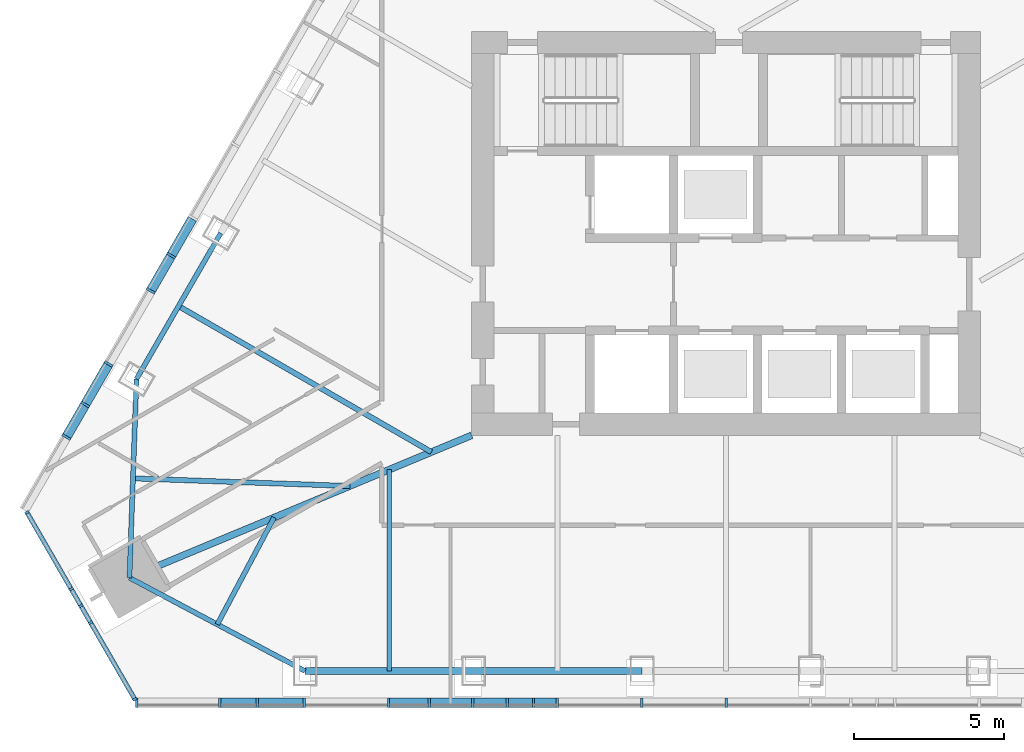
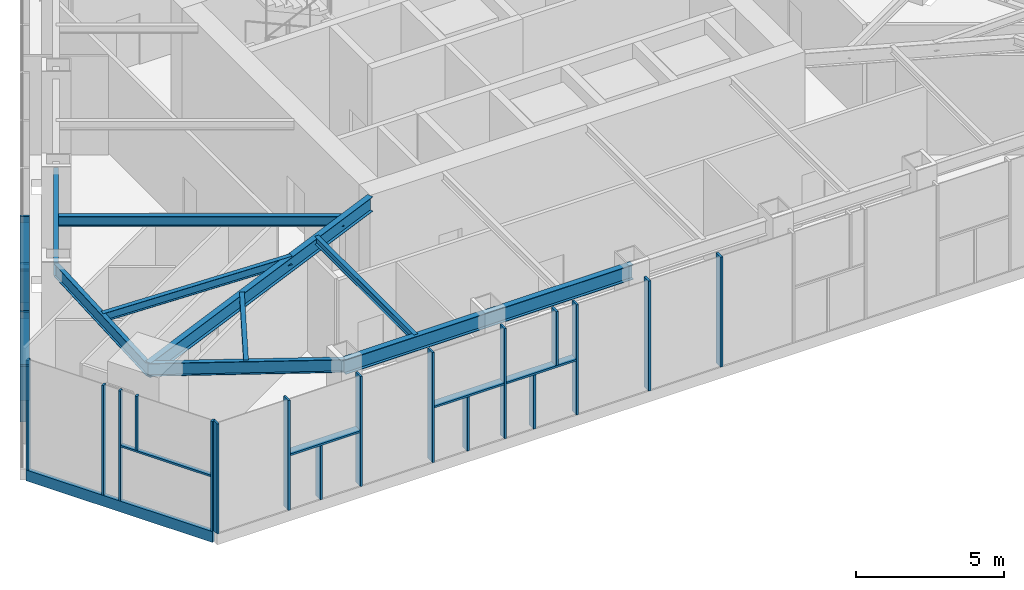
# One storey, part 2 of 17: 29 members, 9 beams, 3 elements without a shape of their own.
"""IFC4 building model written with IfcOpenShell, lengths in metres."""

from ifc_helpers import new_model, si_unit, direction, frame, origin, origin_2d, place, context, subcontext, project, spatial, rectangle, i_section, extrude, material, layer, layer_set, material_profile, profile_set, type_object, element, aggregate, save


model = new_model("IFC4")

# Units and contexts
model_context = context("Model", 3, precision=1e-05, world=origin(), true_north=direction((0.0, 1.0)))
body_context = subcontext(model_context, "Body", "Model", "MODEL_VIEW")
ifc_project = project(units=[si_unit("LENGTHUNIT", "METRE"), si_unit("AREAUNIT", "SQUARE_METRE"), si_unit("VOLUMEUNIT", "CUBIC_METRE"), si_unit("PLANEANGLEUNIT", "RADIAN"), si_unit("MASSUNIT", "GRAM", prefix="KILO")], contexts=[model_context])

# Site, building, storey
site_placement = place(None, origin())
site = spatial("IfcSite", under=ifc_project, at=site_placement, CompositionType="ELEMENT")
building_placement = place(site_placement, origin())
building = spatial("IfcBuilding", under=site, at=building_placement, Name="Firuza Gate Tower and Library", CompositionType="ELEMENT")
storey_placement = place(building_placement, frame((0.0, 0.0, 326.60009765625)))
storey = spatial("IfcBuildingStorey", under=building, at=storey_placement, Name="L80", CompositionType="ELEMENT", Elevation=326.60009765625)

# Curtain wall, members
ifc_material_1 = material(Name="Aluminium 6063-T6", Category="aluminium")
ifc_layer_1 = layer(ifc_material_1, 0.14990234375)
ifc_layer_set_1 = layer_set([ifc_layer_1], Name="Corner curtain wall, chamfers")
curtain_wall_type_1 = type_object("IfcCurtainWallType", Name="Corner curtain wall, chamfers", PredefinedType="NOTDEFINED", material=ifc_layer_set_1)
placement = place(storey_placement, origin())
curtain_wall_1 = element("IfcCurtainWall", 1, at=placement, inside=storey, type_object=curtain_wall_type_1, Name="CW4 L80 SW corner", PredefinedType="NOTDEFINED")
ifc_material_2 = material(Name="Aluminium 6063-T6", Category="aluminium")
ifc_material_profile_1 = material_profile(ifc_material_2, rectangle(XDim=0.14990234375, YDim=0.080078125, at=origin_2d()))
ifc_profile_set_1 = profile_set([ifc_material_profile_1], Name="Aluminium 6063-T6")
member_type_1 = type_object("IfcMemberType", Name="Curtain wall mullion 80x150", PredefinedType="MULLION", material=ifc_profile_set_1)
member_1_placement = place(storey_placement, frame((51.64013671875, 65.673828125, 0.14990234375), z_axis=(0.0, 0.0, 1.0), x_axis=(0.866025403784, 0.5, 0.0)))
member_1 = element("IfcMember", 2, at=member_1_placement, type_object=member_type_1, Name="Mullion", PredefinedType="MULLION", context=body_context, shape_type="SweptSolid", body=[
    extrude(rectangle(XDim=0.14990234375, YDim=0.080078125, at=origin_2d()), origin(), (0.0, 0.0, 1.0), 4.550048828125),
])
member_2_placement = place(storey_placement, frame((53.441650390625, 62.55322265625, 0.14990234375), z_axis=(0.0, 0.0, 1.0), x_axis=(0.866025403784, 0.5, 0.0)))
member_2 = element("IfcMember", 3, at=member_2_placement, type_object=member_type_1, Name="Mullion", PredefinedType="MULLION", context=body_context, shape_type="SweptSolid", body=[
    extrude(rectangle(XDim=0.14990234375, YDim=0.080078125, at=origin_2d()), origin(), (0.0, 0.0, 1.0), 4.550048828125),
])
member_3_placement = place(storey_placement, frame((55.243408203125, 59.432861328125, 0.14990234375), z_axis=(0.0, 0.0, 1.0), x_axis=(0.866025403784, 0.5, 0.0)))
member_3 = element("IfcMember", 4, at=member_3_placement, type_object=member_type_1, Name="Mullion", PredefinedType="MULLION", context=body_context, shape_type="SweptSolid", body=[
    extrude(rectangle(XDim=0.14990234375, YDim=0.080078125, at=origin_2d()), origin(), (0.0, 0.0, 1.0), 4.550048828125),
])
member_4_placement = place(storey_placement, frame((53.11669921875, 63.1162109375, 0.14990234375), z_axis=(0.0, 0.0, 1.0), x_axis=(0.866025403784, 0.5, 0.0)))
member_4 = element("IfcMember", 5, at=member_4_placement, type_object=member_type_1, Name="Mullion", PredefinedType="MULLION", context=body_context, shape_type="SweptSolid", body=[
    extrude(rectangle(XDim=0.14990234375, YDim=0.080078125, at=origin_2d()), origin(), (0.0, 0.0, 1.0), 4.550048828125),
])
member_5_placement = place(storey_placement, frame((53.7666015625, 61.990478515625, 2.46484375), z_axis=(0.0, 0.0, 1.0), x_axis=(0.866025403784, 0.5, 0.0)))
member_5 = element("IfcMember", 6, at=member_5_placement, type_object=member_type_1, Name="Mullion", PredefinedType="MULLION", context=body_context, shape_type="SweptSolid", body=[
    extrude(rectangle(XDim=0.14990234375, YDim=0.080078125, at=origin_2d()), origin(), (0.0, 0.0, 1.0), 2.235107421875),
])

ifc_material_3 = material(Name="Aluminium 6063-T6", Category="aluminium")
ifc_layer_2 = layer(ifc_material_3, 0.14990234375)
ifc_layer_set_2 = layer_set([ifc_layer_2], Name="Unitised curtain wall, residences")
curtain_wall_type_2 = type_object("IfcCurtainWallType", Name="Unitised curtain wall, residences", PredefinedType="NOTDEFINED", material=ifc_layer_set_2)
curtain_wall_2 = element("IfcCurtainWall", 7, at=placement, inside=storey, type_object=curtain_wall_type_2, Name="CW3 L80 S face", PredefinedType="NOTDEFINED")
ifc_material_4 = material(Name="Aluminium 6063-T6", Category="aluminium")
ifc_material_profile_2 = material_profile(ifc_material_4, rectangle(XDim=0.320068359375, YDim=0.080078125, at=origin_2d()))
ifc_profile_set_2 = profile_set([ifc_material_profile_2], Name="Aluminium 6063-T6")
member_type_2 = type_object("IfcMemberType", Name="Curtain wall mullion 80x320", PredefinedType="MULLION", material=ifc_profile_set_2)
member_6_placement = place(storey_placement, frame((55.303466796875, 59.313232421875, 0.14990234375), z_axis=(0.0, 0.0, 1.0), x_axis=(0.0, 1.0, 0.0)))
member_6 = element("IfcMember", 8, at=member_6_placement, type_object=member_type_2, Name="Mullion", PredefinedType="MULLION", context=body_context, shape_type="SweptSolid", body=[
    extrude(rectangle(XDim=0.320068359375, YDim=0.080078125, at=origin_2d()), origin(), (0.0, 0.0, 1.0), 4.550048828125),
])
member_7_placement = place(storey_placement, frame((58.082763671875, 59.313232421875, 0.14990234375), z_axis=(0.0, 0.0, 1.0), x_axis=(0.0, 1.0, 0.0)))
member_7 = element("IfcMember", 9, at=member_7_placement, type_object=member_type_2, Name="Mullion", PredefinedType="MULLION", context=body_context, shape_type="SweptSolid", body=[
    extrude(rectangle(XDim=0.320068359375, YDim=0.080078125, at=origin_2d()), origin(), (0.0, 0.0, 1.0), 4.550048828125),
])
member_8_placement = place(storey_placement, frame((60.90234375, 59.313232421875, 0.14990234375), z_axis=(0.0, 0.0, 1.0), x_axis=(0.0, 1.0, 0.0)))
member_8 = element("IfcMember", 10, at=member_8_placement, type_object=member_type_2, Name="Mullion", PredefinedType="MULLION", context=body_context, shape_type="SweptSolid", body=[
    extrude(rectangle(XDim=0.320068359375, YDim=0.080078125, at=origin_2d()), origin(), (0.0, 0.0, 1.0), 4.550048828125),
])
member_9_placement = place(storey_placement, frame((63.721923828125, 59.313232421875, 0.14990234375), z_axis=(0.0, 0.0, 1.0), x_axis=(0.0, 1.0, 0.0)))
member_9 = element("IfcMember", 11, at=member_9_placement, type_object=member_type_2, Name="Mullion", PredefinedType="MULLION", context=body_context, shape_type="SweptSolid", body=[
    extrude(rectangle(XDim=0.320068359375, YDim=0.080078125, at=origin_2d()), origin(), (0.0, 0.0, 1.0), 4.550048828125),
])
member_10_placement = place(storey_placement, frame((66.54150390625, 59.313232421875, 0.14990234375), z_axis=(0.0, 0.0, 1.0), x_axis=(0.0, 1.0, 0.0)))
member_10 = element("IfcMember", 12, at=member_10_placement, type_object=member_type_2, Name="Mullion", PredefinedType="MULLION", context=body_context, shape_type="SweptSolid", body=[
    extrude(rectangle(XDim=0.320068359375, YDim=0.080078125, at=origin_2d()), origin(), (0.0, 0.0, 1.0), 4.550048828125),
])
member_11_placement = place(storey_placement, frame((69.361083984375, 59.313232421875, 0.14990234375), z_axis=(0.0, 0.0, 1.0), x_axis=(0.0, 1.0, 0.0)))
member_11 = element("IfcMember", 13, at=member_11_placement, type_object=member_type_2, Name="Mullion", PredefinedType="MULLION", context=body_context, shape_type="SweptSolid", body=[
    extrude(rectangle(XDim=0.320068359375, YDim=0.080078125, at=origin_2d()), origin(), (0.0, 0.0, 1.0), 4.550048828125),
])
member_12_placement = place(storey_placement, frame((72.180419921875, 59.313232421875, 0.14990234375), z_axis=(0.0, 0.0, 1.0), x_axis=(0.0, 1.0, 0.0)))
member_12 = element("IfcMember", 14, at=member_12_placement, type_object=member_type_2, Name="Mullion", PredefinedType="MULLION", context=body_context, shape_type="SweptSolid", body=[
    extrude(rectangle(XDim=0.320068359375, YDim=0.080078125, at=origin_2d()), origin(), (0.0, 0.0, 1.0), 4.550048828125),
])
member_13_placement = place(storey_placement, frame((75.0, 59.313232421875, 0.14990234375), z_axis=(0.0, 0.0, 1.0), x_axis=(0.0, 1.0, 0.0)))
member_13 = element("IfcMember", 15, at=member_13_placement, type_object=member_type_2, Name="Mullion", PredefinedType="MULLION", context=body_context, shape_type="SweptSolid", body=[
    extrude(rectangle(XDim=0.320068359375, YDim=0.080078125, at=origin_2d()), origin(), (0.0, 0.0, 1.0), 4.550048828125),
])
member_14_placement = place(storey_placement, frame((59.34033203125, 59.313232421875, 0.14990234375), z_axis=(0.0, 0.0, 1.0), x_axis=(0.0, 1.0, 0.0)))
member_14 = element("IfcMember", 16, at=member_14_placement, type_object=member_type_2, Name="Mullion", PredefinedType="MULLION", context=body_context, shape_type="SweptSolid", body=[
    extrude(rectangle(XDim=0.320068359375, YDim=0.080078125, at=origin_2d()), origin(), (0.0, 0.0, 1.0), 2.235107421875),
])
member_15_placement = place(storey_placement, frame((65.084228515625, 59.313232421875, 0.14990234375), z_axis=(0.0, 0.0, 1.0), x_axis=(0.0, 1.0, 0.0)))
member_15 = element("IfcMember", 17, at=member_15_placement, type_object=member_type_2, Name="Mullion", PredefinedType="MULLION", context=body_context, shape_type="SweptSolid", body=[
    extrude(rectangle(XDim=0.320068359375, YDim=0.080078125, at=origin_2d()), origin(), (0.0, 0.0, 1.0), 2.235107421875),
])
member_16_placement = place(storey_placement, frame((67.68359375, 59.313232421875, 0.14990234375), z_axis=(0.0, 0.0, 1.0), x_axis=(0.0, 1.0, 0.0)))
member_16 = element("IfcMember", 18, at=member_16_placement, type_object=member_type_2, Name="Mullion", PredefinedType="MULLION", context=body_context, shape_type="SweptSolid", body=[
    extrude(rectangle(XDim=0.320068359375, YDim=0.080078125, at=origin_2d()), origin(), (0.0, 0.0, 1.0), 2.235107421875),
])
member_17_placement = place(storey_placement, frame((68.564453125, 59.313232421875, 2.46484375), z_axis=(0.0, 0.0, 1.0), x_axis=(0.0, 1.0, 0.0)))
member_17 = element("IfcMember", 19, at=member_17_placement, type_object=member_type_2, Name="Mullion", PredefinedType="MULLION", context=body_context, shape_type="SweptSolid", body=[
    extrude(rectangle(XDim=0.320068359375, YDim=0.080078125, at=origin_2d()), origin(), (0.0, 0.0, 1.0), 2.235107421875),
])

curtain_wall_3 = element("IfcCurtainWall", 20, at=placement, inside=storey, type_object=curtain_wall_type_2, Name="CW3 L80 W face", PredefinedType="NOTDEFINED")
member_18_placement = place(storey_placement, frame((55.775634765625, 73.076416015625, 0.14990234375), z_axis=(0.0, 0.0, 1.0), x_axis=(0.866025403784, -0.5, 0.0)))
member_18 = element("IfcMember", 21, at=member_18_placement, type_object=member_type_2, Name="Mullion", PredefinedType="MULLION", context=body_context, shape_type="SweptSolid", body=[
    extrude(rectangle(XDim=0.320068359375, YDim=0.080078125, at=origin_2d()), origin(), (0.0, 0.0, 1.0), 4.550048828125),
])
member_19_placement = place(storey_placement, frame((54.365966796875, 70.634521484375, 0.14990234375), z_axis=(0.0, 0.0, 1.0), x_axis=(0.866025403784, -0.5, 0.0)))
member_19 = element("IfcMember", 22, at=member_19_placement, type_object=member_type_2, Name="Mullion", PredefinedType="MULLION", context=body_context, shape_type="SweptSolid", body=[
    extrude(rectangle(XDim=0.320068359375, YDim=0.080078125, at=origin_2d()), origin(), (0.0, 0.0, 1.0), 4.550048828125),
])
member_20_placement = place(storey_placement, frame((52.956298828125, 68.19287109375, 0.14990234375), z_axis=(0.0, 0.0, 1.0), x_axis=(0.866025403784, -0.5, 0.0)))
member_20 = element("IfcMember", 23, at=member_20_placement, type_object=member_type_2, Name="Mullion", PredefinedType="MULLION", context=body_context, shape_type="SweptSolid", body=[
    extrude(rectangle(XDim=0.320068359375, YDim=0.080078125, at=origin_2d()), origin(), (0.0, 0.0, 1.0), 4.550048828125),
])
member_21_placement = place(storey_placement, frame((56.45703125, 74.256103515625, 0.14990234375), z_axis=(0.0, 0.0, 1.0), x_axis=(0.866025403784, -0.5, 0.0)))
member_21 = element("IfcMember", 24, at=member_21_placement, type_object=member_type_2, Name="Mullion", PredefinedType="MULLION", context=body_context, shape_type="SweptSolid", body=[
    extrude(rectangle(XDim=0.320068359375, YDim=0.080078125, at=origin_2d()), origin(), (0.0, 0.0, 1.0), 2.235107421875),
])
member_22_placement = place(storey_placement, frame((53.5849609375, 69.28173828125, 0.14990234375), z_axis=(0.0, 0.0, 1.0), x_axis=(0.866025403784, -0.5, 0.0)))
member_22 = element("IfcMember", 25, at=member_22_placement, type_object=member_type_2, Name="Mullion", PredefinedType="MULLION", context=body_context, shape_type="SweptSolid", body=[
    extrude(rectangle(XDim=0.320068359375, YDim=0.080078125, at=origin_2d()), origin(), (0.0, 0.0, 1.0), 2.235107421875),
])

# Member
ifc_material_5 = material(Name="Aluminium 6063-T6", Category="aluminium")
ifc_material_profile_3 = material_profile(ifc_material_5, rectangle(XDim=0.14990234375, YDim=0.449951171875, at=origin_2d()))
ifc_profile_set_3 = profile_set([ifc_material_profile_3], Name="Aluminium 6063-T6")
member_type_3 = type_object("IfcMemberType", Name="Curtain wall transom 450x150", PredefinedType="USERDEFINED", material=ifc_profile_set_3)
member_23_placement = place(storey_placement, frame((51.6201171875, 65.70849609375, -0.0751953125), z_axis=(0.500005719219, -0.866022101766, 0.0), x_axis=(0.866022101766, 0.500005719219, 0.0)))
member_23 = element("IfcMember", 26, at=member_23_placement, type_object=member_type_3, Name="Transom", ObjectType="TRANSOM", PredefinedType="USERDEFINED", context=body_context, shape_type="SweptSolid", body=[
    extrude(rectangle(XDim=0.14990234375, YDim=0.449951171875, at=origin_2d()), origin(), (0.0, 0.0, 1.0), 7.28662109375),
])

ifc_material_6 = material(Name="Aluminium 6063-T6", Category="aluminium")
ifc_material_profile_4 = material_profile(ifc_material_6, rectangle(XDim=0.14990234375, YDim=0.080078125, at=origin_2d()))
ifc_profile_set_4 = profile_set([ifc_material_profile_4], Name="Aluminium 6063-T6")
member_type_4 = type_object("IfcMemberType", Name="Curtain wall transom 80x150", PredefinedType="USERDEFINED", material=ifc_profile_set_4)
member_24_placement = place(storey_placement, frame((53.461669921875, 62.518798828125, 2.4248046875), z_axis=(0.500015035186, -0.866016723041, 0.0), x_axis=(0.866016723041, 0.500015035186, 0.0)))
member_24 = element("IfcMember", 27, at=member_24_placement, type_object=member_type_4, Name="Transom", ObjectType="TRANSOM", PredefinedType="USERDEFINED", context=body_context, shape_type="SweptSolid", body=[
    extrude(rectangle(XDim=0.14990234375, YDim=0.080078125, at=origin_2d()), origin(), (0.0, 0.0, 1.0), 3.5634765625),
])

aggregate(curtain_wall_1, [member_1, member_2, member_3, member_23, member_4, member_5, member_24])

ifc_material_7 = material(Name="Aluminium 6063-T6", Category="aluminium")
ifc_material_profile_5 = material_profile(ifc_material_7, rectangle(XDim=0.320068359375, YDim=0.080078125, at=origin_2d()))
ifc_profile_set_5 = profile_set([ifc_material_profile_5], Name="Aluminium 6063-T6")
member_type_5 = type_object("IfcMemberType", Name="Curtain wall transom 80x320", PredefinedType="USERDEFINED", material=ifc_profile_set_5)
member_25_placement = place(storey_placement, frame((58.122802734375, 59.313232421875, 2.4248046875), z_axis=(1.0, 0.0, 0.0), x_axis=(0.0, 1.0, 0.0)))
member_25 = element("IfcMember", 28, at=member_25_placement, type_object=member_type_5, Name="Transom", ObjectType="TRANSOM", PredefinedType="USERDEFINED", context=body_context, shape_type="SweptSolid", body=[
    extrude(rectangle(XDim=0.320068359375, YDim=0.080078125, at=origin_2d()), origin(), (0.0, 0.0, 1.0), 2.739501953125),
])

member_26_placement = place(storey_placement, frame((63.761962890625, 59.313232421875, 2.4248046875), z_axis=(1.0, 0.0, 0.0), x_axis=(0.0, 1.0, 0.0)))
member_26 = element("IfcMember", 29, at=member_26_placement, type_object=member_type_5, Name="Transom", ObjectType="TRANSOM", PredefinedType="USERDEFINED", context=body_context, shape_type="SweptSolid", body=[
    extrude(rectangle(XDim=0.320068359375, YDim=0.080078125, at=origin_2d()), origin(), (0.0, 0.0, 1.0), 2.739501953125),
])

member_27_placement = place(storey_placement, frame((66.58154296875, 59.313232421875, 2.4248046875), z_axis=(1.0, 0.0, 0.0), x_axis=(0.0, 1.0, 0.0)))
member_27 = element("IfcMember", 30, at=member_27_placement, type_object=member_type_5, Name="Transom", ObjectType="TRANSOM", PredefinedType="USERDEFINED", context=body_context, shape_type="SweptSolid", body=[
    extrude(rectangle(XDim=0.320068359375, YDim=0.080078125, at=origin_2d()), origin(), (0.0, 0.0, 1.0), 2.739501953125),
])

aggregate(curtain_wall_2, [member_6, member_7, member_8, member_9, member_10, member_11, member_12, member_13, member_14, member_25, member_15, member_26, member_16, member_17, member_27])

member_28_placement = place(storey_placement, frame((57.16552734375, 75.4833984375, 2.4248046875), z_axis=(-0.500059315765, -0.865991155103, 0.0), x_axis=(0.865991155103, -0.500059315765, 0.0)))
member_28 = element("IfcMember", 31, at=member_28_placement, type_object=member_type_5, Name="Transom", ObjectType="TRANSOM", PredefinedType="USERDEFINED", context=body_context, shape_type="SweptSolid", body=[
    extrude(rectangle(XDim=0.320068359375, YDim=0.080078125, at=origin_2d()), origin(), (0.0, 0.0, 1.0), 2.739501953125),
])

member_29_placement = place(storey_placement, frame((54.345947265625, 70.599853515625, 2.4248046875), z_axis=(-0.499992475648, -0.866029747927, 0.0), x_axis=(0.866029747927, -0.499992475648, 0.0)))
member_29 = element("IfcMember", 32, at=member_29_placement, type_object=member_type_5, Name="Transom", ObjectType="TRANSOM", PredefinedType="USERDEFINED", context=body_context, shape_type="SweptSolid", body=[
    extrude(rectangle(XDim=0.320068359375, YDim=0.080078125, at=origin_2d()), origin(), (0.0, 0.0, 1.0), 2.7392578125),
])

aggregate(curtain_wall_3, [member_18, member_19, member_20, member_21, member_28, member_22, member_29])

# Beams
ifc_material_8 = material(Name="Steel S355", Category="steel")
ifc_material_profile_6 = material_profile(ifc_material_8, i_section(OverallWidth=0.1650390625, OverallDepth=0.31005859375, WebThickness=0.005859375, FlangeThickness=0.009765625, at=origin_2d()))
ifc_profile_set_6 = profile_set([ifc_material_profile_6], Name="Steel S355")
beam_type_1 = type_object("IfcBeamType", Name="W310x39 Floor beam", PredefinedType="JOIST", material=ifc_profile_set_6)
beam_1_placement = place(storey_placement, frame((57.99951171875, 61.931884765625, 4.544921875), z_axis=(0.469161114577, 0.883112591105, 0.0), x_axis=(-0.883112591105, 0.469161114577, 0.0)))
element("IfcBeam", 33, at=beam_1_placement, inside=storey, type_object=beam_type_1, Name="Floor beam L80 s10", PredefinedType="JOIST", context=body_context, shape_type="SweptSolid", body=[
    extrude(i_section(OverallWidth=0.1650390625, OverallDepth=0.31005859375, WebThickness=0.005859375, FlangeThickness=0.009765625, at=origin_2d()), origin(), (0.0, 0.0, 1.0), 4.041748046875),
])
beam_2_placement = place(storey_placement, frame((63.74658203125, 60.373046875, 4.544921875), z_axis=(0.0, 1.0, 0.0), x_axis=(-1.0, 0.0, 0.0)))
element("IfcBeam", 34, at=beam_2_placement, inside=storey, type_object=beam_type_1, Name="Floor beam L80 s20", PredefinedType="JOIST", context=body_context, shape_type="SweptSolid", body=[
    extrude(i_section(OverallWidth=0.1650390625, OverallDepth=0.31005859375, WebThickness=0.005859375, FlangeThickness=0.009765625, at=origin_2d()), origin(), (0.0, 0.0, 1.0), 6.73095703125),
])
ifc_material_9 = material(Name="Steel S355", Category="steel")
ifc_material_profile_7 = material_profile(ifc_material_9, i_section(OverallWidth=0.1708984375, OverallDepth=0.35498046875, WebThickness=0.007080078125, FlangeThickness=0.01171875, at=origin_2d()))
ifc_profile_set_7 = profile_set([ifc_material_profile_7], Name="Steel S355")
beam_type_2 = type_object("IfcBeamType", Name="W360x51 Floor beam", PredefinedType="JOIST", material=ifc_profile_set_7)
beam_3_placement = place(storey_placement, frame((55.182373046875, 66.81103515625, 4.5224609375), z_axis=(0.999380909283, -0.035182355821, 0.0), x_axis=(0.035182355821, 0.999380909283, 0.0)))
element("IfcBeam", 35, at=beam_3_placement, inside=storey, type_object=beam_type_2, Name="Floor beam L80 s00", PredefinedType="JOIST", context=body_context, shape_type="SweptSolid", body=[
    extrude(i_section(OverallWidth=0.1708984375, OverallDepth=0.35498046875, WebThickness=0.007080078125, FlangeThickness=0.01171875, at=origin_2d()), origin(), (0.0, 0.0, 1.0), 7.25146484375),
])
ifc_material_10 = material(Name="Steel S355", Category="steel")
ifc_material_profile_8 = material_profile(ifc_material_10, i_section(OverallWidth=0.177978515625, OverallDepth=0.406982421875, WebThickness=0.0078125, FlangeThickness=0.0126953125, at=origin_2d()))
ifc_profile_set_8 = profile_set([ifc_material_profile_8], Name="Steel S355")
beam_type_3 = type_object("IfcBeamType", Name="W410x60 Floor beam", PredefinedType="JOIST", material=ifc_profile_set_8)
beam_4_placement = place(storey_placement, frame((56.7060546875, 72.56787109375, 4.496337890625), z_axis=(0.866016800201, -0.500014901547, 0.0), x_axis=(0.500014901547, 0.866016800201, 0.0)))
element("IfcBeam", 36, at=beam_4_placement, inside=storey, type_object=beam_type_3, Name="Floor beam L80 s84", PredefinedType="JOIST", context=body_context, shape_type="SweptSolid", body=[
    extrude(i_section(OverallWidth=0.177978515625, OverallDepth=0.406982421875, WebThickness=0.0078125, FlangeThickness=0.0126953125, at=origin_2d()), origin(), (0.0, 0.0, 1.0), 9.755615234375),
])
ifc_material_11 = material(Name="Steel S355", Category="steel")
ifc_material_profile_9 = material_profile(ifc_material_11, i_section(OverallWidth=0.166015625, OverallDepth=0.534912109375, WebThickness=0.01025390625, FlangeThickness=0.0166015625, at=origin_2d()))
ifc_profile_set_9 = profile_set([ifc_material_profile_9], Name="Steel S355")
beam_type_4 = type_object("IfcBeamType", Name="W530x85 Edge beam", PredefinedType="SPANDREL", material=ifc_profile_set_9)
for number, where, z_axis, x_axis, name in (
    (37, (55.29931640625, 70.13134765625, 4.432373046875), (-0.035198763148, -0.999380331542, 0.0), (0.999380331542, -0.035198763148, 0.0), "Edge beam L80 e00"),
    (38, (55.0654296875, 63.49072265625, 4.432373046875), (0.883094311348, -0.469195521361, 0.0), (0.469195521361, 0.883094311348, 0.0), "Edge beam L80 e10"),
):
    element("IfcBeam", number, at=place(storey_placement, frame(where, z_axis=z_axis, x_axis=x_axis)), inside=storey, type_object=beam_type_4, Name=name, PredefinedType="SPANDREL", context=body_context, shape_type="SweptSolid", body=[
        extrude(i_section(OverallWidth=0.166015625, OverallDepth=0.534912109375, WebThickness=0.01025390625, FlangeThickness=0.0166015625, at=origin_2d()), origin(), (0.0, 0.0, 1.0), 6.644775390625),
    ])
beam_5_placement = place(storey_placement, frame((58.11279296875, 75.004150390625, 4.432373046875), z_axis=(-0.500021672205, -0.86601289097, 0.0), x_axis=(0.86601289097, -0.500021672205, 0.0)))
element("IfcBeam", 39, at=beam_5_placement, inside=storey, type_object=beam_type_4, Name="Edge beam L80 e84", PredefinedType="SPANDREL", context=body_context, shape_type="SweptSolid", body=[
    extrude(i_section(OverallWidth=0.166015625, OverallDepth=0.534912109375, WebThickness=0.01025390625, FlangeThickness=0.0166015625, at=origin_2d()), origin(), (0.0, 0.0, 1.0), 5.626708984375),
])
ifc_material_12 = material(Name="Steel S355", Category="steel")
ifc_material_profile_10 = material_profile(ifc_material_12, i_section(OverallWidth=0.22802734375, OverallDepth=0.60302734375, WebThickness=0.010498046875, FlangeThickness=0.014892578125, at=origin_2d()))
ifc_profile_set_10 = profile_set([ifc_material_profile_10], Name="Steel S355")
beam_type_5 = type_object("IfcBeamType", Name="W610x101 Girder", PredefinedType="BEAM", material=ifc_profile_set_10)
beam_6_placement = place(storey_placement, frame((55.0654296875, 63.49072265625, 4.3984375), z_axis=(0.923223819717, 0.384262642872, 0.0), x_axis=(-0.384262642872, 0.923223819717, 0.0)))
element("IfcBeam", 40, at=beam_6_placement, inside=storey, type_object=beam_type_5, Name="Girder L80 gSW", PredefinedType="BEAM", context=body_context, shape_type="SweptSolid", body=[
    extrude(i_section(OverallWidth=0.22802734375, OverallDepth=0.60302734375, WebThickness=0.010498046875, FlangeThickness=0.014892578125, at=origin_2d()), origin(), (0.0, 0.0, 1.0), 12.385498046875),
])
ifc_material_13 = material(Name="Steel S355", Category="steel")
ifc_material_profile_11 = material_profile(ifc_material_13, i_section(OverallWidth=0.22900390625, OverallDepth=0.612060546875, WebThickness=0.011962890625, FlangeThickness=0.01953125, at=origin_2d()))
ifc_profile_set_11 = profile_set([ifc_material_profile_11], Name="Steel S355")
beam_type_6 = type_object("IfcBeamType", Name="W610x125 Edge beam", PredefinedType="SPANDREL", material=ifc_profile_set_11)
beam_7_placement = place(storey_placement, frame((60.933349609375, 60.373046875, 4.393798828125), z_axis=(1.0, 0.0, 0.0), x_axis=(0.0, 1.0, 0.0)))
element("IfcBeam", 41, at=beam_7_placement, inside=storey, type_object=beam_type_6, Name="Edge beam L80 e20", PredefinedType="SPANDREL", context=body_context, shape_type="SweptSolid", body=[
    extrude(i_section(OverallWidth=0.22900390625, OverallDepth=0.612060546875, WebThickness=0.011962890625, FlangeThickness=0.01953125, at=origin_2d()), origin(), (0.0, 0.0, 1.0), 11.25341796875),
])

save(model, "model.ifc")
